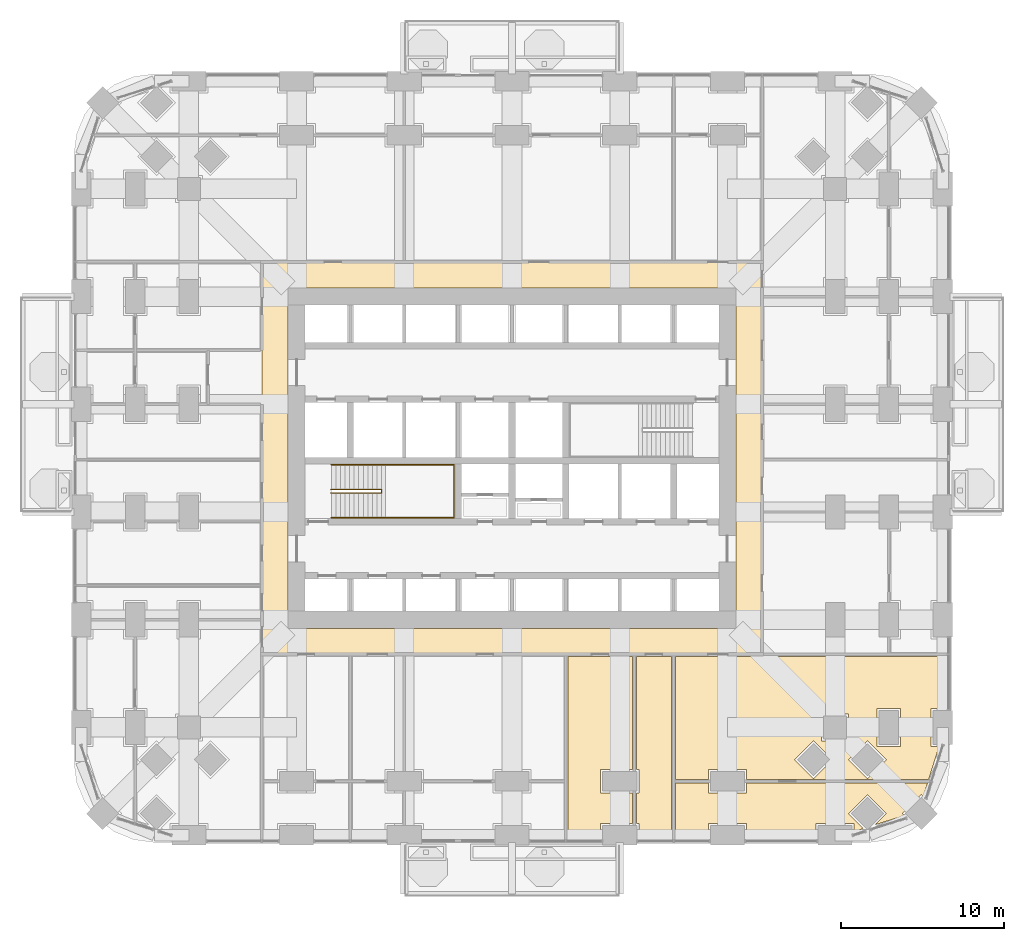
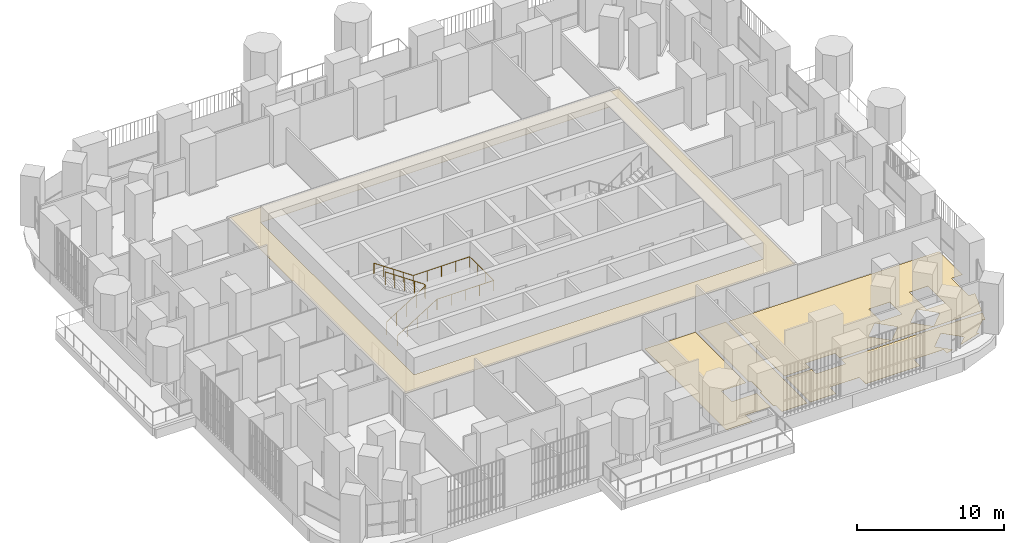
# One storey, part 23 of 26: 5 coverings, 2 railings.
"""IFC4 building model written with IfcOpenShell, lengths in metres."""

from ifc_helpers import new_model, si_unit, direction, frame, origin, place, context, subcontext, project, spatial, polyline, outline, extrude, material, layer, layer_set, type_object, element, save


model = new_model("IFC4")

# Units and contexts
model_context = context("Model", 3, precision=1e-05, world=origin(), true_north=direction((0.0, 1.0)))
body_context = subcontext(model_context, "Body", "Model", "MODEL_VIEW")
ifc_project = project(units=[si_unit("LENGTHUNIT", "METRE"), si_unit("AREAUNIT", "SQUARE_METRE"), si_unit("VOLUMEUNIT", "CUBIC_METRE"), si_unit("PLANEANGLEUNIT", "RADIAN"), si_unit("MASSUNIT", "GRAM", prefix="KILO")], contexts=[model_context])

# Site, building, storey
site_placement = place(None, origin())
site = spatial("IfcSite", under=ifc_project, at=site_placement, CompositionType="ELEMENT")
building_placement = place(site_placement, origin())
building = spatial("IfcBuilding", under=site, at=building_placement, Name="Cobogo Forest Laboratory Tower", CompositionType="ELEMENT")
storey_placement = place(building_placement, frame((0.0, 0.0, 42.300048828125)))
storey = spatial("IfcBuildingStorey", under=building, at=storey_placement, Name="L09", CompositionType="ELEMENT", Elevation=42.300048828125)

# Coverings
ifc_material_1 = material(Name="Mineral fibre ceiling tile", Category="ceiling")
ifc_layer_1 = layer(ifc_material_1, 0.02001953125)
ifc_layer_set_1 = layer_set([ifc_layer_1], Name="CL1 suspended ceiling")
covering_type_1 = type_object("IfcCoveringType", Name="CL1 suspended ceiling", PredefinedType="CEILING", material=ifc_layer_set_1)
covering_1_placement = place(storey_placement, frame((0.0, 0.0, 2.800048828125)))
element("IfcCovering", 1, at=covering_1_placement, inside=storey, type_object=covering_type_1, Name="Corridor ceiling L09", PredefinedType="CEILING", context=body_context, shape_type="SweptSolid", body=[
    extrude(outline(polyline([(11.074951171875, 11.074951171875), (11.074951171875, 35.125), (41.72509765625, 35.125), (41.72509765625, 11.074951171875), (11.074951171875, 11.074951171875)]), holes=[polyline([(40.125, 33.52490234375), (12.675048828125, 33.52490234375), (12.675048828125, 12.675048828125), (40.125, 12.675048828125), (40.125, 33.52490234375)])]), origin(), (0.0, 0.0, 1.0), 0.02001953125),
])
ifc_material_2 = material(Name="Carpet tile on raised access floor", Category="flooring")
ifc_layer_2 = layer(ifc_material_2, 0.008056640625)
ifc_layer_set_2 = layer_set([ifc_layer_2], Name="CT1 carpet tile floor 8")
covering_type_2 = type_object("IfcCoveringType", Name="CT1 carpet tile floor 8", PredefinedType="FLOORING", material=ifc_layer_set_2)
covering_2_placement = place(storey_placement, origin())
element("IfcCovering", 2, at=covering_2_placement, inside=storey, type_object=covering_type_2, Name="Carpet floor L09-07", PredefinedType="FLOORING", context=body_context, shape_type="SweptSolid", body=[
    extrude(outline(polyline([(33.780029296875, 10.955078125), (33.780029296875, 4.02001953125), (31.830078125, 4.02001953125), (31.830078125, 2.580078125), (33.780029296875, 2.580078125), (33.780029296875, 0.719970703125), (31.830078125, 0.719970703125), (31.830078125, -0.14990234375), (29.820068359375, -0.14990234375), (29.820068359375, 10.955078125), (33.780029296875, 10.955078125)])), origin(), (0.0, 0.0, 1.0), 0.008056640625),
])
covering_3_placement = place(storey_placement, origin())
element("IfcCovering", 3, at=covering_3_placement, inside=storey, type_object=covering_type_2, Name="Carpet floor L09-10", PredefinedType="FLOORING", context=body_context, shape_type="SweptSolid", body=[
    extrude(outline(polyline([(38.429931640625, 3.179931640625), (38.429931640625, 2.580078125), (40.77001953125, 2.580078125), (40.77001953125, 3.179931640625), (51.8603515625, 3.179931640625), (51.600830078125, 2.358642578125), (51.48193359375, 2.477783203125), (50.322265625, 1.318115234375), (50.441162109375, 1.19921875), (48.660400390625, 0.63671875), (49.341552734375, 1.318115234375), (48.181884765625, 2.477783203125), (47.022216796875, 1.318115234375), (47.933349609375, 0.406982421875), (47.3701171875, 0.229248046875), (47.3701171875, 0.719970703125), (45.030029296875, 0.719970703125), (45.030029296875, -0.14990234375), (40.77001953125, -0.14990234375), (40.77001953125, 0.719970703125), (38.429931640625, 0.719970703125), (38.429931640625, -0.14990234375), (36.419921875, -0.14990234375), (36.419921875, 3.179931640625), (38.429931640625, 3.179931640625)])), origin(), (0.0, 0.0, 1.0), 0.008056640625),
])

# Railings
ifc_material_3 = material(Name="Steel balustrade", Category="steel")
railing_type_1 = type_object("IfcRailingType", Name="GR stair guard 1100", PredefinedType="GUARDRAIL", material=ifc_material_3)
railing_1_placement = place(storey_placement, frame((15.324951171875, 20.969970703125, 0.175048828125)))
element("IfcRailing", 4, at=railing_1_placement, inside=storey, type_object=railing_type_1, Name="Stair guard ST1 L09", PredefinedType="GUARDRAIL", context=body_context, shape_type="SweptSolid", body=[
    extrude(outline(polyline([(0.022216796875, 0.00927734375), (0.00927734375, 0.022216796875), (-0.00927734375, 0.022216796875), (-0.022216796875, 0.00927734375), (-0.022216796875, -0.00927734375), (-0.00927734375, -0.022216796875), (0.00927734375, -0.022216796875), (0.022216796875, -0.00927734375), (0.022216796875, 0.00927734375)])), frame((0.0, 0.0, 1.077880859375), z_axis=(0.848028513186, 0.0, 0.529950602248), x_axis=(0.0, 1.0, 0.0)), (0.0, 0.0, 1.0), 3.632080078125),
    extrude(outline(polyline([(0.022216796875, 0.00927734375), (0.00927734375, 0.022216796875), (-0.00927734375, 0.022216796875), (-0.022216796875, 0.00927734375), (-0.022216796875, -0.00927734375), (-0.00927734375, -0.022216796875), (0.00927734375, -0.022216796875), (0.022216796875, -0.00927734375), (0.022216796875, 0.00927734375)])), frame((3.080078125, 0.0, 3.002685546875), z_axis=(0.0, 1.0, 0.0), x_axis=(-1.0, 0.0, 0.0)), (0.0, 0.0, 1.0), 0.2099609375),
    extrude(outline(polyline([(0.022216796875, 0.00927734375), (0.00927734375, 0.022216796875), (-0.00927734375, 0.022216796875), (-0.022216796875, 0.00927734375), (-0.022216796875, -0.00927734375), (-0.00927734375, -0.022216796875), (0.00927734375, -0.022216796875), (0.022216796875, -0.00927734375), (0.022216796875, 0.00927734375)])), frame((3.080078125, 0.2099609375, 3.002685546875), z_axis=(-0.826221800596, 0.0, 0.563344953133), x_axis=(0.0, -1.0, 0.0)), (0.0, 0.0, 1.0), 3.72802734375),
    extrude(outline(polyline([(0.019287109375, 0.008056640625), (0.008056640625, 0.019287109375), (-0.008056640625, 0.019287109375), (-0.019287109375, 0.008056640625), (-0.019287109375, -0.008056640625), (-0.008056640625, -0.019287109375), (0.008056640625, -0.019287109375), (0.019287109375, -0.008056640625), (0.019287109375, 0.008056640625)])), origin(), (0.0, 0.0, 1.0), 1.077880859375),
    extrude(outline(polyline([(0.019287109375, 0.008056640625), (0.008056640625, 0.019287109375), (-0.008056640625, 0.019287109375), (-0.019287109375, 0.008056640625), (-0.019287109375, -0.008056640625), (-0.008056640625, -0.019287109375), (0.008056640625, -0.019287109375), (0.019287109375, -0.008056640625), (0.019287109375, 0.008056640625)])), frame((0.77001953125, 0.0, 0.481201171875)), (0.0, 0.0, 1.0), 1.077880859375),
    extrude(outline(polyline([(0.019287109375, 0.008056640625), (0.008056640625, 0.019287109375), (-0.008056640625, 0.019287109375), (-0.019287109375, 0.008056640625), (-0.019287109375, -0.008056640625), (-0.008056640625, -0.019287109375), (0.008056640625, -0.019287109375), (0.019287109375, -0.008056640625), (0.019287109375, 0.008056640625)])), frame((1.5400390625, 0.0, 0.96240234375)), (0.0, 0.0, 1.0), 1.077880859375),
    extrude(outline(polyline([(0.019287109375, 0.008056640625), (0.008056640625, 0.019287109375), (-0.008056640625, 0.019287109375), (-0.019287109375, 0.008056640625), (-0.019287109375, -0.008056640625), (-0.008056640625, -0.019287109375), (0.008056640625, -0.019287109375), (0.019287109375, -0.008056640625), (0.019287109375, 0.008056640625)])), frame((2.31005859375, 0.0, 1.443603515625)), (0.0, 0.0, 1.0), 1.077880859375),
    extrude(outline(polyline([(0.019287109375, 0.008056640625), (0.008056640625, 0.019287109375), (-0.008056640625, 0.019287109375), (-0.019287109375, 0.008056640625), (-0.019287109375, -0.008056640625), (-0.008056640625, -0.019287109375), (0.008056640625, -0.019287109375), (0.019287109375, -0.008056640625), (0.019287109375, 0.008056640625)])), frame((3.080078125, 0.0, 1.9248046875)), (0.0, 0.0, 1.0), 1.077880859375),
    extrude(outline(polyline([(0.019287109375, 0.008056640625), (0.008056640625, 0.019287109375), (-0.008056640625, 0.019287109375), (-0.019287109375, 0.008056640625), (-0.019287109375, -0.008056640625), (-0.008056640625, -0.019287109375), (0.008056640625, -0.019287109375), (0.019287109375, -0.008056640625), (0.019287109375, 0.008056640625)])), frame((3.080078125, 0.2099609375, 1.9248046875)), (0.0, 0.0, 1.0), 1.077880859375),
    extrude(outline(polyline([(0.019287109375, 0.008056640625), (0.008056640625, 0.019287109375), (-0.008056640625, 0.019287109375), (-0.019287109375, 0.008056640625), (-0.019287109375, -0.008056640625), (-0.008056640625, -0.019287109375), (0.008056640625, -0.019287109375), (0.019287109375, -0.008056640625), (0.019287109375, 0.008056640625)])), frame((2.31005859375, 0.2099609375, 2.44970703125)), (0.0, 0.0, 1.0), 1.077880859375),
    extrude(outline(polyline([(0.019287109375, 0.008056640625), (0.008056640625, 0.019287109375), (-0.008056640625, 0.019287109375), (-0.019287109375, 0.008056640625), (-0.019287109375, -0.008056640625), (-0.008056640625, -0.019287109375), (0.008056640625, -0.019287109375), (0.019287109375, -0.008056640625), (0.019287109375, 0.008056640625)])), frame((1.5400390625, 0.2099609375, 2.974853515625)), (0.0, 0.0, 1.0), 1.077880859375),
    extrude(outline(polyline([(0.019287109375, 0.008056640625), (0.008056640625, 0.019287109375), (-0.008056640625, 0.019287109375), (-0.019287109375, 0.008056640625), (-0.019287109375, -0.008056640625), (-0.008056640625, -0.019287109375), (0.008056640625, -0.019287109375), (0.019287109375, -0.008056640625), (0.019287109375, 0.008056640625)])), frame((0.77001953125, 0.2099609375, 3.5)), (0.0, 0.0, 1.0), 1.077880859375),
    extrude(outline(polyline([(0.019287109375, 0.008056640625), (0.008056640625, 0.019287109375), (-0.008056640625, 0.019287109375), (-0.019287109375, 0.008056640625), (-0.019287109375, -0.008056640625), (-0.008056640625, -0.019287109375), (0.008056640625, -0.019287109375), (0.019287109375, -0.008056640625), (0.019287109375, 0.008056640625)])), frame((0.0, 0.2099609375, 4.02490234375)), (0.0, 0.0, 1.0), 1.077880859375),
])
ifc_material_4 = material(Name="Stainless steel handrail", Category="steel")
railing_type_2 = type_object("IfcRailingType", Name="HR handrail 900", PredefinedType="HANDRAIL", material=ifc_material_4)
railing_2_placement = place(storey_placement, frame((15.324951171875, 19.449951171875, 0.175048828125)))
element("IfcRailing", 5, at=railing_2_placement, inside=storey, type_object=railing_type_2, Name="Stair handrail ST1 L09", PredefinedType="HANDRAIL", context=body_context, shape_type="SweptSolid", body=[
    extrude(outline(polyline([(0.022216796875, 0.00927734375), (0.00927734375, 0.022216796875), (-0.00927734375, 0.022216796875), (-0.022216796875, 0.00927734375), (-0.022216796875, -0.00927734375), (-0.00927734375, -0.022216796875), (0.00927734375, -0.022216796875), (0.022216796875, -0.00927734375), (0.022216796875, 0.00927734375)])), frame((0.0, 0.0, 0.877685546875), z_axis=(0.848028513186, 0.0, 0.529950602248), x_axis=(0.0, 1.0, 0.0)), (0.0, 0.0, 1.0), 3.632080078125),
    extrude(outline(polyline([(0.022216796875, 0.00927734375), (0.00927734375, 0.022216796875), (-0.00927734375, 0.022216796875), (-0.022216796875, 0.00927734375), (-0.022216796875, -0.00927734375), (-0.00927734375, -0.022216796875), (0.00927734375, -0.022216796875), (0.022216796875, -0.00927734375), (0.022216796875, 0.00927734375)])), frame((3.080078125, 0.0, 2.802490234375), z_axis=(1.0, 0.0, 0.0), x_axis=(0.0, 1.0, 0.0)), (0.0, 0.0, 1.0), 4.445068359375),
    extrude(outline(polyline([(0.022216796875, 0.00927734375), (0.00927734375, 0.022216796875), (-0.00927734375, 0.022216796875), (-0.022216796875, 0.00927734375), (-0.022216796875, -0.00927734375), (-0.00927734375, -0.022216796875), (0.00927734375, -0.022216796875), (0.022216796875, -0.00927734375), (0.022216796875, 0.00927734375)])), frame((7.525146484375, 0.0, 2.802490234375), z_axis=(0.0, 1.0, 0.0), x_axis=(-1.0, 0.0, 0.0)), (0.0, 0.0, 1.0), 3.25),
    extrude(outline(polyline([(0.022216796875, 0.00927734375), (0.00927734375, 0.022216796875), (-0.00927734375, 0.022216796875), (-0.022216796875, 0.00927734375), (-0.022216796875, -0.00927734375), (-0.00927734375, -0.022216796875), (0.00927734375, -0.022216796875), (0.022216796875, -0.00927734375), (0.022216796875, 0.00927734375)])), frame((7.525146484375, 3.25, 2.802490234375), z_axis=(-1.0, 0.0, 0.0), x_axis=(0.0, -1.0, 0.0)), (0.0, 0.0, 1.0), 4.445068359375),
    extrude(outline(polyline([(0.022216796875, 0.00927734375), (0.00927734375, 0.022216796875), (-0.00927734375, 0.022216796875), (-0.022216796875, 0.00927734375), (-0.022216796875, -0.00927734375), (-0.00927734375, -0.022216796875), (0.00927734375, -0.022216796875), (0.022216796875, -0.00927734375), (0.022216796875, 0.00927734375)])), frame((3.080078125, 3.25, 2.802490234375), z_axis=(-0.826221800596, 0.0, 0.563344953133), x_axis=(0.0, -1.0, 0.0)), (0.0, 0.0, 1.0), 3.72802734375),
    extrude(outline(polyline([(0.019287109375, 0.008056640625), (0.008056640625, 0.019287109375), (-0.008056640625, 0.019287109375), (-0.019287109375, 0.008056640625), (-0.019287109375, -0.008056640625), (-0.008056640625, -0.019287109375), (0.008056640625, -0.019287109375), (0.019287109375, -0.008056640625), (0.019287109375, 0.008056640625)])), origin(), (0.0, 0.0, 1.0), 0.877685546875),
    extrude(outline(polyline([(0.019287109375, 0.008056640625), (0.008056640625, 0.019287109375), (-0.008056640625, 0.019287109375), (-0.019287109375, 0.008056640625), (-0.019287109375, -0.008056640625), (-0.008056640625, -0.019287109375), (0.008056640625, -0.019287109375), (0.019287109375, -0.008056640625), (0.019287109375, 0.008056640625)])), frame((0.77001953125, 0.0, 0.481201171875)), (0.0, 0.0, 1.0), 0.877685546875),
    extrude(outline(polyline([(0.019287109375, 0.008056640625), (0.008056640625, 0.019287109375), (-0.008056640625, 0.019287109375), (-0.019287109375, 0.008056640625), (-0.019287109375, -0.008056640625), (-0.008056640625, -0.019287109375), (0.008056640625, -0.019287109375), (0.019287109375, -0.008056640625), (0.019287109375, 0.008056640625)])), frame((1.5400390625, 0.0, 0.96240234375)), (0.0, 0.0, 1.0), 0.877685546875),
    extrude(outline(polyline([(0.019287109375, 0.008056640625), (0.008056640625, 0.019287109375), (-0.008056640625, 0.019287109375), (-0.019287109375, 0.008056640625), (-0.019287109375, -0.008056640625), (-0.008056640625, -0.019287109375), (0.008056640625, -0.019287109375), (0.019287109375, -0.008056640625), (0.019287109375, 0.008056640625)])), frame((2.31005859375, 0.0, 1.443603515625)), (0.0, 0.0, 1.0), 0.877685546875),
    extrude(outline(polyline([(0.019287109375, 0.008056640625), (0.008056640625, 0.019287109375), (-0.008056640625, 0.019287109375), (-0.019287109375, 0.008056640625), (-0.019287109375, -0.008056640625), (-0.008056640625, -0.019287109375), (0.008056640625, -0.019287109375), (0.019287109375, -0.008056640625), (0.019287109375, 0.008056640625)])), frame((3.080078125, 0.0, 1.9248046875)), (0.0, 0.0, 1.0), 0.877685546875),
    extrude(outline(polyline([(0.019287109375, 0.008056640625), (0.008056640625, 0.019287109375), (-0.008056640625, 0.019287109375), (-0.019287109375, 0.008056640625), (-0.019287109375, -0.008056640625), (-0.008056640625, -0.019287109375), (0.008056640625, -0.019287109375), (0.019287109375, -0.008056640625), (0.019287109375, 0.008056640625)])), frame((4.19140625, 0.0, 1.9248046875)), (0.0, 0.0, 1.0), 0.877685546875),
    extrude(outline(polyline([(0.019287109375, 0.008056640625), (0.008056640625, 0.019287109375), (-0.008056640625, 0.019287109375), (-0.019287109375, 0.008056640625), (-0.019287109375, -0.008056640625), (-0.008056640625, -0.019287109375), (0.008056640625, -0.019287109375), (0.019287109375, -0.008056640625), (0.019287109375, 0.008056640625)])), frame((5.302734375, 0.0, 1.9248046875)), (0.0, 0.0, 1.0), 0.877685546875),
    extrude(outline(polyline([(0.019287109375, 0.008056640625), (0.008056640625, 0.019287109375), (-0.008056640625, 0.019287109375), (-0.019287109375, 0.008056640625), (-0.019287109375, -0.008056640625), (-0.008056640625, -0.019287109375), (0.008056640625, -0.019287109375), (0.019287109375, -0.008056640625), (0.019287109375, 0.008056640625)])), frame((6.413818359375, 0.0, 1.9248046875)), (0.0, 0.0, 1.0), 0.877685546875),
    extrude(outline(polyline([(0.019287109375, 0.008056640625), (0.008056640625, 0.019287109375), (-0.008056640625, 0.019287109375), (-0.019287109375, 0.008056640625), (-0.019287109375, -0.008056640625), (-0.008056640625, -0.019287109375), (0.008056640625, -0.019287109375), (0.019287109375, -0.008056640625), (0.019287109375, 0.008056640625)])), frame((7.525146484375, 0.0, 1.9248046875)), (0.0, 0.0, 1.0), 0.877685546875),
    extrude(outline(polyline([(0.019287109375, 0.008056640625), (0.008056640625, 0.019287109375), (-0.008056640625, 0.019287109375), (-0.019287109375, 0.008056640625), (-0.019287109375, -0.008056640625), (-0.008056640625, -0.019287109375), (0.008056640625, -0.019287109375), (0.019287109375, -0.008056640625), (0.019287109375, 0.008056640625)])), frame((7.525146484375, 1.083251953125, 1.9248046875)), (0.0, 0.0, 1.0), 0.877685546875),
    extrude(outline(polyline([(0.019287109375, 0.008056640625), (0.008056640625, 0.019287109375), (-0.008056640625, 0.019287109375), (-0.019287109375, 0.008056640625), (-0.019287109375, -0.008056640625), (-0.008056640625, -0.019287109375), (0.008056640625, -0.019287109375), (0.019287109375, -0.008056640625), (0.019287109375, 0.008056640625)])), frame((7.525146484375, 2.166748046875, 1.9248046875)), (0.0, 0.0, 1.0), 0.877685546875),
    extrude(outline(polyline([(0.019287109375, 0.008056640625), (0.008056640625, 0.019287109375), (-0.008056640625, 0.019287109375), (-0.019287109375, 0.008056640625), (-0.019287109375, -0.008056640625), (-0.008056640625, -0.019287109375), (0.008056640625, -0.019287109375), (0.019287109375, -0.008056640625), (0.019287109375, 0.008056640625)])), frame((7.525146484375, 3.25, 1.9248046875)), (0.0, 0.0, 1.0), 0.877685546875),
    extrude(outline(polyline([(0.019287109375, 0.008056640625), (0.008056640625, 0.019287109375), (-0.008056640625, 0.019287109375), (-0.019287109375, 0.008056640625), (-0.019287109375, -0.008056640625), (-0.008056640625, -0.019287109375), (0.008056640625, -0.019287109375), (0.019287109375, -0.008056640625), (0.019287109375, 0.008056640625)])), frame((6.413818359375, 3.25, 1.9248046875)), (0.0, 0.0, 1.0), 0.877685546875),
    extrude(outline(polyline([(0.019287109375, 0.008056640625), (0.008056640625, 0.019287109375), (-0.008056640625, 0.019287109375), (-0.019287109375, 0.008056640625), (-0.019287109375, -0.008056640625), (-0.008056640625, -0.019287109375), (0.008056640625, -0.019287109375), (0.019287109375, -0.008056640625), (0.019287109375, 0.008056640625)])), frame((5.302734375, 3.25, 1.9248046875)), (0.0, 0.0, 1.0), 0.877685546875),
    extrude(outline(polyline([(0.019287109375, 0.008056640625), (0.008056640625, 0.019287109375), (-0.008056640625, 0.019287109375), (-0.019287109375, 0.008056640625), (-0.019287109375, -0.008056640625), (-0.008056640625, -0.019287109375), (0.008056640625, -0.019287109375), (0.019287109375, -0.008056640625), (0.019287109375, 0.008056640625)])), frame((4.19140625, 3.25, 1.9248046875)), (0.0, 0.0, 1.0), 0.877685546875),
    extrude(outline(polyline([(0.019287109375, 0.008056640625), (0.008056640625, 0.019287109375), (-0.008056640625, 0.019287109375), (-0.019287109375, 0.008056640625), (-0.019287109375, -0.008056640625), (-0.008056640625, -0.019287109375), (0.008056640625, -0.019287109375), (0.019287109375, -0.008056640625), (0.019287109375, 0.008056640625)])), frame((3.080078125, 3.25, 1.9248046875)), (0.0, 0.0, 1.0), 0.877685546875),
    extrude(outline(polyline([(0.019287109375, 0.008056640625), (0.008056640625, 0.019287109375), (-0.008056640625, 0.019287109375), (-0.019287109375, 0.008056640625), (-0.019287109375, -0.008056640625), (-0.008056640625, -0.019287109375), (0.008056640625, -0.019287109375), (0.019287109375, -0.008056640625), (0.019287109375, 0.008056640625)])), frame((2.31005859375, 3.25, 2.44970703125)), (0.0, 0.0, 1.0), 0.877685546875),
    extrude(outline(polyline([(0.019287109375, 0.008056640625), (0.008056640625, 0.019287109375), (-0.008056640625, 0.019287109375), (-0.019287109375, 0.008056640625), (-0.019287109375, -0.008056640625), (-0.008056640625, -0.019287109375), (0.008056640625, -0.019287109375), (0.019287109375, -0.008056640625), (0.019287109375, 0.008056640625)])), frame((1.5400390625, 3.25, 2.974853515625)), (0.0, 0.0, 1.0), 0.877685546875),
    extrude(outline(polyline([(0.019287109375, 0.008056640625), (0.008056640625, 0.019287109375), (-0.008056640625, 0.019287109375), (-0.019287109375, 0.008056640625), (-0.019287109375, -0.008056640625), (-0.008056640625, -0.019287109375), (0.008056640625, -0.019287109375), (0.019287109375, -0.008056640625), (0.019287109375, 0.008056640625)])), frame((0.77001953125, 3.25, 3.5)), (0.0, 0.0, 1.0), 0.877685546875),
    extrude(outline(polyline([(0.019287109375, 0.008056640625), (0.008056640625, 0.019287109375), (-0.008056640625, 0.019287109375), (-0.019287109375, 0.008056640625), (-0.019287109375, -0.008056640625), (-0.008056640625, -0.019287109375), (0.008056640625, -0.019287109375), (0.019287109375, -0.008056640625), (0.019287109375, 0.008056640625)])), frame((0.0, 3.25, 4.02490234375)), (0.0, 0.0, 1.0), 0.877685546875),
])

# Coverings
ifc_material_5 = material(Name="Epoxy resin flooring", Category="flooring")
ifc_layer_3 = layer(ifc_material_5, 0.00390625)
ifc_layer_set_3 = layer_set([ifc_layer_3], Name="LF1 epoxy laboratory floor 4")
covering_type_3 = type_object("IfcCoveringType", Name="LF1 epoxy laboratory floor 4", PredefinedType="FLOORING", material=ifc_layer_set_3)
covering_4_placement = place(storey_placement, origin())
element("IfcCovering", 6, at=covering_4_placement, inside=storey, type_object=covering_type_3, Name="Epoxy laboratory floor L09-09", PredefinedType="FLOORING", context=body_context, shape_type="SweptSolid", body=[
    extrude(outline(polyline([(36.419921875, 10.955078125), (52.949951171875, 10.955078125), (52.949951171875, 7.77001953125), (52.080078125, 7.77001953125), (52.080078125, 5.429931640625), (52.57080078125, 5.429931640625), (51.93603515625, 3.419921875), (40.77001953125, 3.419921875), (40.77001953125, 4.02001953125), (38.429931640625, 4.02001953125), (38.429931640625, 3.419921875), (36.419921875, 3.419921875), (36.419921875, 10.955078125)]), holes=[polyline([(48.780029296875, 5.429931640625), (50.219970703125, 5.429931640625), (50.219970703125, 7.77001953125), (48.780029296875, 7.77001953125), (48.780029296875, 5.429931640625)]), polyline([(48.181884765625, 5.777587890625), (47.022216796875, 4.617919921875), (48.181884765625, 3.458251953125), (49.341552734375, 4.617919921875), (48.181884765625, 5.777587890625)]), polyline([(45.3798828125, 7.419921875), (45.3798828125, 5.780029296875), (47.02001953125, 5.780029296875), (47.02001953125, 7.419921875), (45.3798828125, 7.419921875)]), polyline([(44.882080078125, 5.777587890625), (43.722412109375, 4.617919921875), (44.882080078125, 3.458251953125), (46.041748046875, 4.617919921875), (44.882080078125, 5.777587890625)])]), origin(), (0.0, 0.0, 1.0), 0.00390625),
])
ifc_material_6 = material(Name="Ceramic floor tile", Category="flooring")
ifc_layer_4 = layer(ifc_material_6, 0.010009765625)
ifc_layer_set_4 = layer_set([ifc_layer_4], Name="TF1 ceramic tile floor 10")
covering_type_4 = type_object("IfcCoveringType", Name="TF1 ceramic tile floor 10", PredefinedType="FLOORING", material=ifc_layer_set_4)
covering_5_placement = place(storey_placement, origin())
element("IfcCovering", 7, at=covering_5_placement, inside=storey, type_object=covering_type_4, Name="Tile floor L09-08", PredefinedType="FLOORING", context=body_context, shape_type="SweptSolid", body=[
    extrude(outline(polyline([(36.179931640625, 10.955078125), (36.179931640625, -0.14990234375), (34.169921875, -0.14990234375), (34.169921875, 0.719970703125), (34.02001953125, 0.719970703125), (34.02001953125, 2.580078125), (34.169921875, 2.580078125), (34.169921875, 4.02001953125), (34.02001953125, 4.02001953125), (34.02001953125, 10.955078125), (36.179931640625, 10.955078125)])), origin(), (0.0, 0.0, 1.0), 0.010009765625),
])

save(model, "model.ifc")
